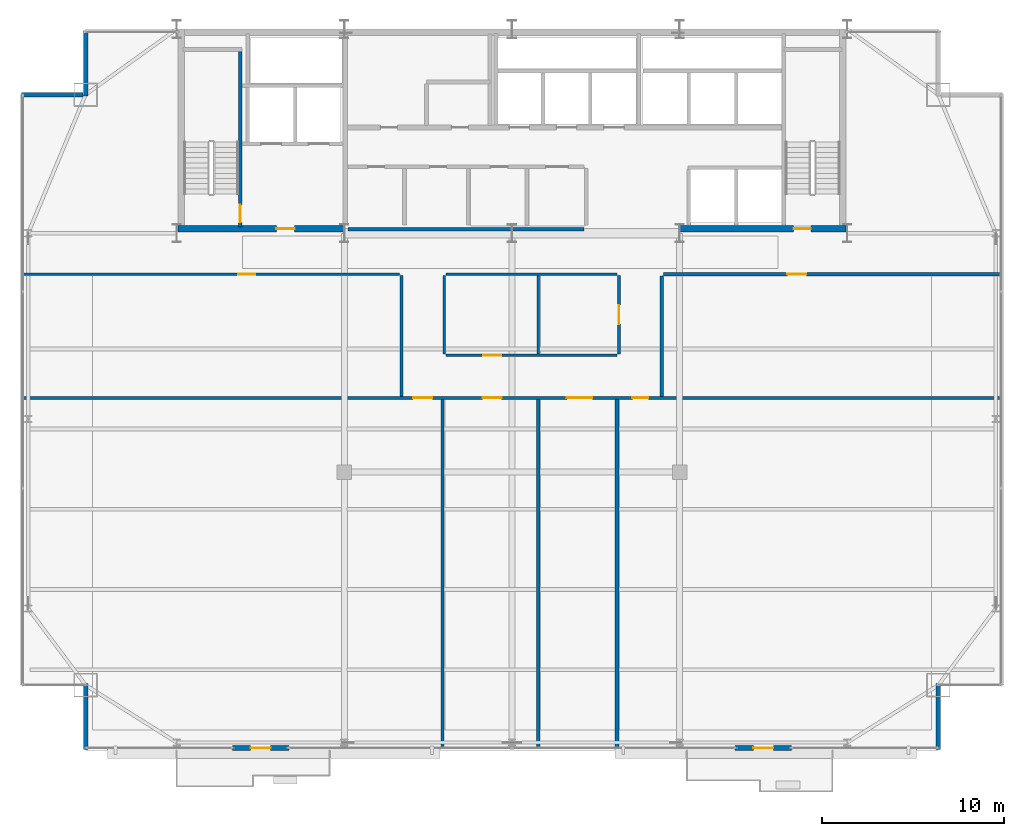
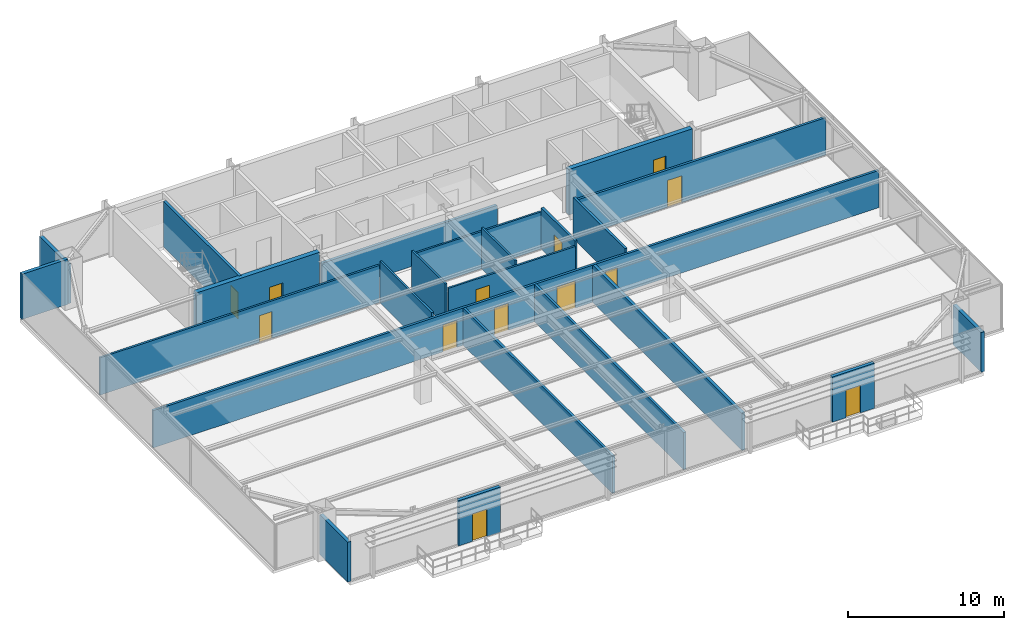
# One storey, part 27 of 31: 23 walls, 13 doors, 13 openings.
"""IFC4 building model written with IfcOpenShell, lengths in metres."""

from ifc_helpers import new_model, si_unit, direction, frame, frame_2d, origin, place, context, subcontext, project, spatial, rectangle, extrude, source, transform, mapped, material, layer, layer_set, type_object, type_shapes, element, fill, save


model = new_model("IFC4")

# Units and contexts
model_context = context("Model", 3, precision=1e-05, world=origin(), true_north=direction((0.0, 1.0)))
body_context = subcontext(model_context, "Body", "Model", "MODEL_VIEW")
ifc_project = project(units=[si_unit("LENGTHUNIT", "METRE"), si_unit("AREAUNIT", "SQUARE_METRE"), si_unit("VOLUMEUNIT", "CUBIC_METRE"), si_unit("PLANEANGLEUNIT", "RADIAN"), si_unit("MASSUNIT", "GRAM", prefix="KILO")], contexts=[model_context])

# Site, building, storey
site_placement = place(None, origin())
site = spatial("IfcSite", under=ifc_project, at=site_placement, CompositionType="ELEMENT")
building_placement = place(site_placement, origin())
building = spatial("IfcBuilding", under=site, at=building_placement, Name="Varnel Quay Broadcast Tower", CompositionType="ELEMENT")
storey_placement = place(building_placement, frame((0.0, 0.0, 157.199951171875)))
storey = spatial("IfcBuildingStorey", under=building, at=storey_placement, Name="L38", CompositionType="ELEMENT", Elevation=157.199951171875)

# Wall, opening, door
ifc_material_1 = material(Name="Concrete CSA A23.3 C50/60", Category="concrete")
ifc_layer_1 = layer(ifc_material_1, 0.199951171875, Name="Concrete CSA A23.3 C50/60")
ifc_layer_set_1 = layer_set([ifc_layer_1], Name="Concrete CSA A23.3 C50/60")
wall_type_1 = type_object("IfcWallType", Name="Wall_CoreShaftShear200", PredefinedType="SHEAR", material=ifc_layer_set_1)
wall_1_placement = place(storey_placement, frame((19.080078125, 35.949951171875, 0.0), z_axis=(0.0, 0.0, 1.0), x_axis=(0.0, 1.0, 0.0)))
wall_1 = element("IfcWall", 1, at=wall_1_placement, inside=storey, type_object=wall_type_1, Name="L38 Stair 1 East Structural Wall", PredefinedType="SHEAR", context=body_context, shape_type="SweptSolid", body=[
    extrude(rectangle(XDim=9.650146484375, YDim=0.199951171875, at=frame_2d((4.8251953125, 0.0))), origin(), (0.0, 0.0, 1.0), 3.550048828125),
])
opening_1_placement = place(wall_1_placement, frame((0.25, 0.0, 0.0)))
opening_1 = element("IfcOpeningElement", 2, at=opening_1_placement, cuts=wall_1, Name="Opening D-L38-S1", PredefinedType="OPENING", context=body_context, shape_type="SweptSolid", body=[
    extrude(rectangle(XDim=0.949951171875, YDim=2.10009765625, at=frame_2d((0.47509765625, 1.050048828125))), frame((0.0, 0.10986328125, 0.0), z_axis=(0.0, -1.0, 0.0), x_axis=(1.0, 0.0, 0.0)), (0.0, 0.0, 1.0), 0.219970703125),
])
ifc_material_2 = material(Name="Insulated Fire-Rated Hollow Steel Door", Category="steel")
door_type_1 = type_object("IfcDoorType", Name="Door_FireStair950", OperationType="NOTDEFINED", PredefinedType="DOOR", material=ifc_material_2)
shared_shape_1 = source(origin(), body_context, "Body", "SweptSolid", [
    extrude(rectangle(XDim=0.949951171875, YDim=2.10009765625, at=frame_2d((0.47509765625, 1.050048828125))), frame((0.0, 0.02490234375, 0.0), z_axis=(0.0, -1.0, 0.0), x_axis=(1.0, 0.0, 0.0)), (0.0, 0.0, 1.0), 0.050048828125),
])
type_shapes(door_type_1, [shared_shape_1])
door_1_placement = place(opening_1_placement, origin())
door_1 = element("IfcDoor", 3, at=door_1_placement, inside=storey, type_object=door_type_1, Name="L38 Stair 1 Fire Door", OperationType="SINGLE_SWING_RIGHT", OverallHeight=2.10009765625, OverallWidth=0.949951171875, PredefinedType="DOOR", context=body_context, shape_type="MappedRepresentation", body=[
    mapped(shared_shape_1, transform((0.0, 0.0, 0.0), x_axis=(1.0, 0.0, 0.0), y_axis=(0.0, 1.0, 0.0), z_axis=(0.0, 0.0, 1.0), scale=1.0)),
])
fill(opening_1, door_1)

ifc_layer_2 = layer(ifc_material_1, 0.35009765625, Name="Concrete CSA A23.3 C50/60")
ifc_layer_set_2 = layer_set([ifc_layer_2], Name="Concrete CSA A23.3 C50/60")
wall_type_2 = type_object("IfcWallType", Name="Wall_CoreShearInt350", PredefinedType="SHEAR", material=ifc_layer_set_2)
wall_2_placement = place(storey_placement, frame((15.669921875, 35.844970703125, 0.0), z_axis=(0.0, 0.0, 1.0), x_axis=(1.0, 0.0, 0.0)))
wall_2 = element("IfcWall", 4, at=wall_2_placement, inside=storey, type_object=wall_type_2, Name="L38 South-West Core Shear Wall", PredefinedType="SHEAR", context=body_context, shape_type="SweptSolid", body=[
    extrude(rectangle(XDim=9.130126953125, YDim=0.35009765625, at=frame_2d((4.56494140625, 0.0))), origin(), (0.0, 0.0, 1.0), 3.550048828125),
])
opening_2_placement = place(wall_2_placement, frame((5.39990234375, 0.0, 0.0)))
opening_2 = element("IfcOpeningElement", 5, at=opening_2_placement, cuts=wall_2, Name="Opening D-L38-FFL", PredefinedType="OPENING", context=body_context, shape_type="SweptSolid", body=[
    extrude(rectangle(XDim=1.0, YDim=2.10009765625, at=frame_2d((0.5, 1.050048828125))), frame((0.0, 0.18505859375, 0.0), z_axis=(0.0, -1.0, 0.0), x_axis=(1.0, 0.0, 0.0)), (0.0, 0.0, 1.0), 0.3701171875),
])
door_type_2 = type_object("IfcDoorType", Name="Door_FireLobby1000", OperationType="NOTDEFINED", PredefinedType="DOOR", material=ifc_material_2)
shared_shape_2 = source(origin(), body_context, "Body", "SweptSolid", [
    extrude(rectangle(XDim=1.0, YDim=2.10009765625, at=frame_2d((0.5, 1.050048828125))), frame((0.0, 0.02490234375, 0.0), z_axis=(0.0, -1.0, 0.0), x_axis=(1.0, 0.0, 0.0)), (0.0, 0.0, 1.0), 0.050048828125),
])
type_shapes(door_type_2, [shared_shape_2])
door_2_placement = place(opening_2_placement, origin())
door_2 = element("IfcDoor", 6, at=door_2_placement, inside=storey, type_object=door_type_2, Name="L38 Firefighting Lobby Door", OperationType="SINGLE_SWING_LEFT", OverallHeight=2.10009765625, OverallWidth=1.0, PredefinedType="DOOR", context=body_context, shape_type="MappedRepresentation", body=[
    mapped(shared_shape_2, transform((0.0, 0.0, 0.0), x_axis=(1.0, 0.0, 0.0), y_axis=(0.0, 1.0, 0.0), z_axis=(0.0, 0.0, 1.0), scale=1.0)),
])
fill(opening_2, door_2)

wall_3_placement = place(storey_placement, frame((43.199951171875, 35.844970703125, 0.0), z_axis=(0.0, 0.0, 1.0), x_axis=(1.0, 0.0, 0.0)))
wall_3 = element("IfcWall", 7, at=wall_3_placement, inside=storey, type_object=wall_type_2, Name="L38 South-East Core Shear Wall", PredefinedType="SHEAR", context=body_context, shape_type="SweptSolid", body=[
    extrude(rectangle(XDim=9.130126953125, YDim=0.35009765625, at=frame_2d((4.56494140625, 0.0))), origin(), (0.0, 0.0, 1.0), 3.550048828125),
])
opening_3_placement = place(wall_3_placement, frame((6.25, 0.0, 0.0)))
opening_3 = element("IfcOpeningElement", 8, at=opening_3_placement, cuts=wall_3, Name="Opening D-L38-S2", PredefinedType="OPENING", context=body_context, shape_type="SweptSolid", body=[
    extrude(rectangle(XDim=0.949951171875, YDim=2.10009765625, at=frame_2d((0.47509765625, 1.050048828125))), frame((0.0, 0.18505859375, 0.0), z_axis=(0.0, -1.0, 0.0), x_axis=(1.0, 0.0, 0.0)), (0.0, 0.0, 1.0), 0.3701171875),
])
door_3_placement = place(opening_3_placement, origin())
door_3 = element("IfcDoor", 9, at=door_3_placement, inside=storey, type_object=door_type_1, Name="L38 Stair 2 Fire Door", OperationType="SINGLE_SWING_RIGHT", OverallHeight=2.10009765625, OverallWidth=0.949951171875, PredefinedType="DOOR", context=body_context, shape_type="MappedRepresentation", body=[
    mapped(shared_shape_1, transform((0.0, 0.0, 0.0), x_axis=(1.0, 0.0, 0.0), y_axis=(0.0, 1.0, 0.0), z_axis=(0.0, 0.0, 1.0), scale=1.0)),
])
fill(opening_3, door_3)

ifc_material_3 = material(Name="Precast Architectural Concrete C40/50", Category="concrete")
ifc_layer_3 = layer(ifc_material_3, 0.25, Name="Precast Architectural Concrete C40/50")
ifc_layer_set_3 = layer_set([ifc_layer_3], Name="Precast Architectural Concrete C40/50")
wall_type_3 = type_object("IfcWallType", Name="Wall_ExtTerrace250", PredefinedType="SOLIDWALL", material=ifc_layer_set_3)
wall_4_placement = place(storey_placement, frame((18.64990234375, 7.35009765625, 0.0), z_axis=(0.0, 0.0, 1.0), x_axis=(1.0, 0.0, 0.0)))
wall_4 = element("IfcWall", 10, at=wall_4_placement, inside=storey, type_object=wall_type_3, Name="L38 Terrace Access Wall 1", PredefinedType="SOLIDWALL", context=body_context, shape_type="SweptSolid", body=[
    extrude(rectangle(XDim=3.10009765625, YDim=0.25, at=frame_2d((1.550048828125, 0.0))), origin(), (0.0, 0.0, 1.0), 3.530029296875),
])
opening_4_placement = place(wall_4_placement, frame((1.0, 0.0, 0.0)))
opening_4 = element("IfcOpeningElement", 11, at=opening_4_placement, cuts=wall_4, Name="Opening TD-381", PredefinedType="OPENING", context=body_context, shape_type="SweptSolid", body=[
    extrude(rectangle(XDim=1.10009765625, YDim=2.14990234375, at=frame_2d((0.550048828125, 1.074951171875))), frame((0.0, 0.135009765625, 0.0), z_axis=(0.0, -1.0, 0.0), x_axis=(1.0, 0.0, 0.0)), (0.0, 0.0, 1.0), 0.27001953125),
])
ifc_material_4 = material(Name="Anodised Bronze Aluminium 6063-T6", Category="aluminium")
door_type_3 = type_object("IfcDoorType", Name="Door_ExtTerrace1100", OperationType="NOTDEFINED", PredefinedType="DOOR", material=ifc_material_4)
shared_shape_3 = source(origin(), body_context, "Body", "SweptSolid", [
    extrude(rectangle(XDim=1.10009765625, YDim=2.14990234375, at=frame_2d((0.550048828125, 1.074951171875))), frame((0.0, 0.02490234375, 0.0), z_axis=(0.0, -1.0, 0.0), x_axis=(1.0, 0.0, 0.0)), (0.0, 0.0, 1.0), 0.050048828125),
])
type_shapes(door_type_3, [shared_shape_3])
door_4_placement = place(opening_4_placement, frame((1.10009765625, 0.0, 0.0), z_axis=(0.0, 0.0, 1.0), x_axis=(-1.0, 0.0, 0.0)))
door_4 = element("IfcDoor", 12, at=door_4_placement, inside=storey, type_object=door_type_3, Name="L38 Terrace Door TD-381", OperationType="SINGLE_SWING_LEFT", OverallHeight=2.14990234375, OverallWidth=1.10009765625, PredefinedType="DOOR", context=body_context, shape_type="MappedRepresentation", body=[
    mapped(shared_shape_3, transform((0.0, 0.0, 0.0), x_axis=(1.0, 0.0, 0.0), y_axis=(0.0, 1.0, 0.0), z_axis=(0.0, 0.0, 1.0), scale=1.0)),
])
fill(opening_4, door_4)

wall_5_placement = place(storey_placement, frame((46.25, 7.35009765625, 0.0), z_axis=(0.0, 0.0, 1.0), x_axis=(1.0, 0.0, 0.0)))
wall_5 = element("IfcWall", 13, at=wall_5_placement, inside=storey, type_object=wall_type_3, Name="L38 Terrace Access Wall 2", PredefinedType="SOLIDWALL", context=body_context, shape_type="SweptSolid", body=[
    extrude(rectangle(XDim=3.10009765625, YDim=0.25, at=frame_2d((1.550048828125, 0.0))), origin(), (0.0, 0.0, 1.0), 3.530029296875),
])
opening_5_placement = place(wall_5_placement, frame((1.0, 0.0, 0.0)))
opening_5 = element("IfcOpeningElement", 14, at=opening_5_placement, cuts=wall_5, Name="Opening TD-382", PredefinedType="OPENING", context=body_context, shape_type="SweptSolid", body=[
    extrude(rectangle(XDim=1.10009765625, YDim=2.14990234375, at=frame_2d((0.550048828125, 1.074951171875))), frame((0.0, 0.135009765625, 0.0), z_axis=(0.0, -1.0, 0.0), x_axis=(1.0, 0.0, 0.0)), (0.0, 0.0, 1.0), 0.27001953125),
])
door_5_placement = place(opening_5_placement, frame((1.10009765625, 0.0, 0.0), z_axis=(0.0, 0.0, 1.0), x_axis=(-1.0, 0.0, 0.0)))
door_5 = element("IfcDoor", 15, at=door_5_placement, inside=storey, type_object=door_type_3, Name="L38 Terrace Door TD-382", OperationType="SINGLE_SWING_RIGHT", OverallHeight=2.14990234375, OverallWidth=1.10009765625, PredefinedType="DOOR", context=body_context, shape_type="MappedRepresentation", body=[
    mapped(shared_shape_3, transform((0.0, 0.0, 0.0), x_axis=(1.0, 0.0, 0.0), y_axis=(0.0, 1.0, 0.0), z_axis=(0.0, 0.0, 1.0), scale=1.0)),
])
fill(opening_5, door_5)

# Walls
for number, where, z_axis, x_axis, name in (
    (16, (10.60009765625, 7.280029296875, 0.0), (0.0, 0.0, 1.0), (0.0, 1.0, 0.0), "L38 Mega-Column Notch Cladding Wall NSW2"),
    (17, (57.39990234375, 7.280029296875, 0.0), (0.0, 0.0, 1.0), (0.0, 1.0, 0.0), "L38 Mega-Column Notch Cladding Wall NSE2"),
):
    element("IfcWall", number, at=place(storey_placement, frame(where, z_axis=z_axis, x_axis=x_axis)), inside=storey, type_object=wall_type_3, Name=name, PredefinedType="SOLIDWALL", context=body_context, shape_type="SweptSolid", body=[
        extrude(rectangle(XDim=3.599853515625, YDim=0.25, at=frame_2d((1.7998046875, 0.0))), origin(), (0.0, 0.0, 1.0), 3.108154296875),
    ])
wall_6_placement = place(storey_placement, frame((7.080078125, 43.199951171875, 0.0), z_axis=(0.0, 0.0, 1.0), x_axis=(1.0, 0.0, 0.0)))
element("IfcWall", 18, at=wall_6_placement, inside=storey, type_object=wall_type_3, Name="L38 Mega-Column Notch Cladding Wall NNW1", PredefinedType="SOLIDWALL", context=body_context, shape_type="SweptSolid", body=[
    extrude(rectangle(XDim=3.389892578125, YDim=0.25, at=frame_2d((1.69482421875, 0.0))), origin(), (0.0, 0.0, 1.0), 3.530029296875),
])
wall_7_placement = place(storey_placement, frame((10.60009765625, 43.1201171875, 0.0), z_axis=(0.0, 0.0, 1.0), x_axis=(0.0, 1.0, 0.0)))
element("IfcWall", 19, at=wall_7_placement, inside=storey, type_object=wall_type_3, Name="L38 Mega-Column Notch Cladding Wall NNW2", PredefinedType="SOLIDWALL", context=body_context, shape_type="SweptSolid", body=[
    extrude(rectangle(XDim=3.599853515625, YDim=0.25, at=frame_2d((1.7998046875, 0.0))), origin(), (0.0, 0.0, 1.0), 3.108154296875),
])
ifc_material_5 = material(Name="Concrete Blockwork Fire Enclosure C40/50", Category="masonry")
ifc_layer_4 = layer(ifc_material_5, 0.199951171875, Name="Concrete Blockwork Fire Enclosure C40/50")
ifc_layer_set_4 = layer_set([ifc_layer_4], Name="Concrete Blockwork Fire Enclosure C40/50")
wall_type_4 = type_object("IfcWallType", Name="Wall_FireShaft200", PredefinedType="SOLIDWALL", material=ifc_layer_set_4)
wall_8_placement = place(storey_placement, frame((25.0, 35.824951171875, 0.0), z_axis=(0.0, 0.0, 1.0), x_axis=(1.0, 0.0, 0.0)))
element("IfcWall", 20, at=wall_8_placement, inside=storey, type_object=wall_type_4, Name="L38 Accessible Universal Washroom Partition 1", PredefinedType="SOLIDWALL", context=body_context, shape_type="SweptSolid", body=[
    extrude(rectangle(XDim=12.949951171875, YDim=0.199951171875, at=frame_2d((6.47509765625, 0.0))), origin(), (0.0, 0.0, 1.0), 2.574951171875),
])

# Wall, opening, door
ifc_material_6 = material(Name="Steel-Stud Fire-Rated Acoustic Gypsum Partition Assembly", Category="steel")
ifc_layer_5 = layer(ifc_material_6, 0.139892578125, Name="Steel-Stud Fire-Rated Acoustic Gypsum Partition Assembly")
ifc_layer_set_5 = layer_set([ifc_layer_5], Name="Steel-Stud Fire-Rated Acoustic Gypsum Partition Assembly")
wall_type_5 = type_object("IfcWallType", Name="Wall_Partition140", PredefinedType="PARTITIONING", material=ifc_layer_set_5)
wall_9_placement = place(storey_placement, frame((30.3798828125, 28.909912109375, 0.0), z_axis=(0.0, 0.0, 1.0), x_axis=(1.0, 0.0, 0.0)))
wall_9 = element("IfcWall", 21, at=wall_9_placement, inside=storey, type_object=wall_type_5, Name="L38 Reading Lounge 6 Partition 13", PredefinedType="PARTITIONING", context=body_context, shape_type="SweptSolid", body=[
    extrude(rectangle(XDim=9.39013671875, YDim=0.139892578125, at=frame_2d((4.695068359375, 0.0))), origin(), (0.0, 0.0, 1.0), 2.908935546875),
])
opening_6_placement = place(wall_9_placement, frame((2.030029296875, 0.0, 0.0)))
opening_6 = element("IfcOpeningElement", 22, at=opening_6_placement, cuts=wall_9, Name="Opening D-L38-10", PredefinedType="OPENING", context=body_context, shape_type="SweptSolid", body=[
    extrude(rectangle(XDim=1.0, YDim=2.10009765625, at=frame_2d((0.5, 1.050048828125))), frame((0.0, 0.080078125, 0.0), z_axis=(0.0, -1.0, 0.0), x_axis=(1.0, 0.0, 0.0)), (0.0, 0.0, 1.0), 0.159912109375),
])
ifc_material_7 = material(Name="Solid-Core Fire-Rated Acoustic Oak Veneer Door", Category="wood")
door_type_4 = type_object("IfcDoorType", Name="Door_Exec1000", OperationType="NOTDEFINED", PredefinedType="DOOR", material=ifc_material_7)
shared_shape_4 = source(origin(), body_context, "Body", "SweptSolid", [
    extrude(rectangle(XDim=1.0, YDim=2.10009765625, at=frame_2d((0.5, 1.050048828125))), frame((0.0, 0.02490234375, 0.0), z_axis=(0.0, -1.0, 0.0), x_axis=(1.0, 0.0, 0.0)), (0.0, 0.0, 1.0), 0.050048828125),
])
type_shapes(door_type_4, [shared_shape_4])
door_6_placement = place(opening_6_placement, origin())
door_6 = element("IfcDoor", 23, at=door_6_placement, inside=storey, type_object=door_type_4, Name="L38 Reading Lounge 6 Door D-L38-10", OperationType="SINGLE_SWING_LEFT", OverallHeight=2.10009765625, OverallWidth=1.0, PredefinedType="DOOR", context=body_context, shape_type="MappedRepresentation", body=[
    mapped(shared_shape_4, transform((0.0, 0.0, 0.0), x_axis=(1.0, 0.0, 0.0), y_axis=(0.0, 1.0, 0.0), z_axis=(0.0, 0.0, 1.0), scale=1.0)),
])
fill(opening_6, door_6)

# Walls
wall_10_placement = place(storey_placement, frame((35.43994140625, 28.97998046875, 0.0), z_axis=(0.0, 0.0, 1.0), x_axis=(0.0, 1.0, 0.0)))
element("IfcWall", 24, at=wall_10_placement, inside=storey, type_object=wall_type_5, Name="L38 Reading Lounge 6 Partition 14", PredefinedType="PARTITIONING", context=body_context, shape_type="SweptSolid", body=[
    extrude(rectangle(XDim=4.300048828125, YDim=0.139892578125, at=frame_2d((2.14990234375, 0.0))), origin(), (0.0, 0.0, 1.0), 3.22216796875),
])
wall_11_placement = place(storey_placement, frame((30.3798828125, 33.35009765625, 0.0), z_axis=(0.0, 0.0, 1.0), x_axis=(1.0, 0.0, 0.0)))
element("IfcWall", 25, at=wall_11_placement, inside=storey, type_object=wall_type_5, Name="L38 Reading Lounge 6 Partition 15", PredefinedType="PARTITIONING", context=body_context, shape_type="SweptSolid", body=[
    extrude(rectangle(XDim=9.39013671875, YDim=0.139892578125, at=frame_2d((4.695068359375, 0.0))), origin(), (0.0, 0.0, 1.0), 2.908935546875),
])
wall_12_placement = place(storey_placement, frame((30.280029296875, 28.97998046875, 0.0), z_axis=(0.0, 0.0, 1.0), x_axis=(0.0, 1.0, 0.0)))
element("IfcWall", 26, at=wall_12_placement, inside=storey, type_object=wall_type_5, Name="L38 Reading Lounge 6 Partition 16", PredefinedType="PARTITIONING", context=body_context, shape_type="SweptSolid", body=[
    extrude(rectangle(XDim=4.300048828125, YDim=0.139892578125, at=frame_2d((2.14990234375, 0.0))), origin(), (0.0, 0.0, 1.0), 3.22216796875),
])
ifc_layer_6 = layer(ifc_material_6, 0.14990234375, Name="Steel-Stud Fire-Rated Acoustic Gypsum Partition Assembly")
ifc_layer_set_6 = layer_set([ifc_layer_6], Name="Steel-Stud Fire-Rated Acoustic Gypsum Partition Assembly")
wall_type_6 = type_object("IfcWallType", Name="Wall_Partition150", PredefinedType="PARTITIONING", material=ifc_layer_set_6)
wall_13_placement = place(storey_placement, frame((27.929931640625, 26.64697265625, 0.0), z_axis=(0.0, 0.0, 1.0), x_axis=(0.0, 1.0, 0.0)))
element("IfcWall", 27, at=wall_13_placement, inside=storey, type_object=wall_type_6, Name="L38 Bureau Office 5 Partition 11", PredefinedType="PARTITIONING", context=body_context, shape_type="SweptSolid", body=[
    extrude(rectangle(XDim=6.6279296875, YDim=0.14990234375, at=frame_2d((3.31396484375, 0.0))), origin(), (0.0, 0.0, 1.0), 3.22216796875),
])

# Wall, opening, door
wall_14_placement = place(storey_placement, frame((7.179931640625, 33.35009765625, 0.0), z_axis=(0.0, 0.0, 1.0), x_axis=(1.0, 0.0, 0.0)))
wall_14 = element("IfcWall", 28, at=wall_14_placement, inside=storey, type_object=wall_type_6, Name="L38 Bureau Office 5 Partition 12", PredefinedType="PARTITIONING", context=body_context, shape_type="SweptSolid", body=[
    extrude(rectangle(XDim=20.650146484375, YDim=0.14990234375, at=frame_2d((10.3251953125, 0.0))), origin(), (0.0, 0.0, 1.0), 2.908935546875),
])
opening_7_placement = place(wall_14_placement, frame((11.800048828125, 0.0, 0.0)))
opening_7 = element("IfcOpeningElement", 29, at=opening_7_placement, cuts=wall_14, Name="Opening D-L38-09", PredefinedType="OPENING", context=body_context, shape_type="SweptSolid", body=[
    extrude(rectangle(XDim=0.919921875, YDim=2.080078125, at=frame_2d((0.4599609375, 1.0400390625))), frame((0.0, 0.0849609375, 0.0), z_axis=(0.0, -1.0, 0.0), x_axis=(1.0, 0.0, 0.0)), (0.0, 0.0, 1.0), 0.169921875),
])
door_type_5 = type_object("IfcDoorType", Name="Door_Office920", OperationType="NOTDEFINED", PredefinedType="DOOR", material=ifc_material_7)
shared_shape_5 = source(origin(), body_context, "Body", "SweptSolid", [
    extrude(rectangle(XDim=0.919921875, YDim=2.080078125, at=frame_2d((0.4599609375, 1.0400390625))), frame((0.0, 0.02490234375, 0.0), z_axis=(0.0, -1.0, 0.0), x_axis=(1.0, 0.0, 0.0)), (0.0, 0.0, 1.0), 0.050048828125),
])
type_shapes(door_type_5, [shared_shape_5])
door_7_placement = place(opening_7_placement, frame((0.919921875, 0.0, 0.0), z_axis=(0.0, 0.0, 1.0), x_axis=(-1.0, 0.0, 0.0)))
door_7 = element("IfcDoor", 30, at=door_7_placement, inside=storey, type_object=door_type_5, Name="L38 Bureau Office 5 Door D-L38-09", OperationType="SINGLE_SWING_RIGHT", OverallHeight=2.080078125, OverallWidth=0.919921875, PredefinedType="DOOR", context=body_context, shape_type="MappedRepresentation", body=[
    mapped(shared_shape_5, transform((0.0, 0.0, 0.0), x_axis=(1.0, 0.0, 0.0), y_axis=(0.0, 1.0, 0.0), z_axis=(0.0, 0.0, 1.0), scale=1.0)),
])
fill(opening_7, door_7)

# Wall
ifc_layer_7 = layer(ifc_material_6, 0.175048828125, Name="Steel-Stud Fire-Rated Acoustic Gypsum Partition Assembly")
ifc_layer_set_7 = layer_set([ifc_layer_7], Name="Steel-Stud Fire-Rated Acoustic Gypsum Partition Assembly")
wall_type_7 = type_object("IfcWallType", Name="Wall_Partition175", PredefinedType="PARTITIONING", material=ifc_layer_set_7)
wall_15_placement = place(storey_placement, frame((30.179931640625, 7.3798828125, 0.0), z_axis=(0.0, 0.0, 1.0), x_axis=(0.0, 1.0, 0.0)))
element("IfcWall", 31, at=wall_15_placement, inside=storey, type_object=wall_type_7, Name="L38 Press Briefing Room 1 Partition 7", PredefinedType="PARTITIONING", context=body_context, shape_type="SweptSolid", body=[
    extrude(rectangle(XDim=19.093017578125, YDim=0.175048828125, at=frame_2d((9.54638671875, 0.0))), origin(), (0.0, 0.0, 1.0), 2.908935546875),
])

# Wall, openings, doors
wall_16_placement = place(storey_placement, frame((7.179931640625, 26.56005859375, 0.0), z_axis=(0.0, 0.0, 1.0), x_axis=(1.0, 0.0, 0.0)))
wall_16 = element("IfcWall", 32, at=wall_16_placement, inside=storey, type_object=wall_type_7, Name="L38 Press Briefing Room 1 Partition 8", PredefinedType="PARTITIONING", context=body_context, shape_type="SweptSolid", body=[
    extrude(rectangle(XDim=53.64013671875, YDim=0.175048828125, at=frame_2d((26.820068359375, 0.0))), origin(), (0.0, 0.0, 1.0), 2.908935546875),
])
opening_8_placement = place(wall_16_placement, frame((21.39990234375, 0.0, 0.0)))
opening_8 = element("IfcOpeningElement", 33, at=opening_8_placement, cuts=wall_16, Name="Opening D-L38-05", PredefinedType="OPENING", context=body_context, shape_type="SweptSolid", body=[
    extrude(rectangle(XDim=1.050048828125, YDim=2.10009765625, at=frame_2d((0.52490234375, 1.050048828125))), frame((0.0, 0.09765625, 0.0), z_axis=(0.0, -1.0, 0.0), x_axis=(1.0, 0.0, 0.0)), (0.0, 0.0, 1.0), 0.195068359375),
])
opening_9_placement = place(wall_16_placement, frame((25.205078125, 0.0, 0.0)))
opening_9 = element("IfcOpeningElement", 34, at=opening_9_placement, cuts=wall_16, Name="Opening D-L38-06", PredefinedType="OPENING", context=body_context, shape_type="SweptSolid", body=[
    extrude(rectangle(XDim=1.050048828125, YDim=2.10009765625, at=frame_2d((0.52490234375, 1.050048828125))), frame((0.0, 0.09765625, 0.0), z_axis=(0.0, -1.0, 0.0), x_axis=(1.0, 0.0, 0.0)), (0.0, 0.0, 1.0), 0.195068359375),
])
opening_10_placement = place(wall_16_placement, frame((29.824951171875, 0.0, 0.0)))
opening_10 = element("IfcOpeningElement", 35, at=opening_10_placement, cuts=wall_16, Name="Opening D-L38-07", PredefinedType="OPENING", context=body_context, shape_type="SweptSolid", body=[
    extrude(rectangle(XDim=1.39990234375, YDim=2.1201171875, at=frame_2d((0.699951171875, 1.06005859375))), frame((0.0, 0.09765625, 0.0), z_axis=(0.0, -1.0, 0.0), x_axis=(1.0, 0.0, 0.0)), (0.0, 0.0, 1.0), 0.195068359375),
])
opening_11_placement = place(wall_16_placement, frame((33.425048828125, 0.0, 0.0)))
opening_11 = element("IfcOpeningElement", 36, at=opening_11_placement, cuts=wall_16, Name="Opening D-L38-08", PredefinedType="OPENING", context=body_context, shape_type="SweptSolid", body=[
    extrude(rectangle(XDim=0.8798828125, YDim=2.06005859375, at=frame_2d((0.43994140625, 1.030029296875))), frame((0.0, 0.09765625, 0.0), z_axis=(0.0, -1.0, 0.0), x_axis=(1.0, 0.0, 0.0)), (0.0, 0.0, 1.0), 0.195068359375),
])
door_type_6 = type_object("IfcDoorType", Name="Door_Booth880", OperationType="NOTDEFINED", PredefinedType="DOOR", material=ifc_material_7)
shared_shape_6 = source(origin(), body_context, "Body", "SweptSolid", [
    extrude(rectangle(XDim=0.8798828125, YDim=2.06005859375, at=frame_2d((0.43994140625, 1.030029296875))), frame((0.0, 0.02490234375, 0.0), z_axis=(0.0, -1.0, 0.0), x_axis=(1.0, 0.0, 0.0)), (0.0, 0.0, 1.0), 0.050048828125),
])
type_shapes(door_type_6, [shared_shape_6])
door_8_placement = place(opening_11_placement, frame((0.8798828125, 0.0, 0.0), z_axis=(0.0, 0.0, 1.0), x_axis=(-1.0, 0.0, 0.0)))
door_8 = element("IfcDoor", 37, at=door_8_placement, inside=storey, type_object=door_type_6, Name="L38 Catering Kitchen 4 Door D-L38-08", OperationType="SINGLE_SWING_LEFT", OverallHeight=2.06005859375, OverallWidth=0.8798828125, PredefinedType="DOOR", context=body_context, shape_type="MappedRepresentation", body=[
    mapped(shared_shape_6, transform((0.0, 0.0, 0.0), x_axis=(1.0, 0.0, 0.0), y_axis=(0.0, 1.0, 0.0), z_axis=(0.0, 0.0, 1.0), scale=1.0)),
])
fill(opening_11, door_8)
door_type_7 = type_object("IfcDoorType", Name="Door_Meeting1050", OperationType="NOTDEFINED", PredefinedType="DOOR", material=ifc_material_7)
shared_shape_7 = source(origin(), body_context, "Body", "SweptSolid", [
    extrude(rectangle(XDim=1.050048828125, YDim=2.10009765625, at=frame_2d((0.52490234375, 1.050048828125))), frame((0.0, 0.02490234375, 0.0), z_axis=(0.0, -1.0, 0.0), x_axis=(1.0, 0.0, 0.0)), (0.0, 0.0, 1.0), 0.050048828125),
])
type_shapes(door_type_7, [shared_shape_7])
door_9_placement = place(opening_8_placement, frame((1.050048828125, 0.0, 0.0), z_axis=(0.0, 0.0, 1.0), x_axis=(-1.0, 0.0, 0.0)))
door_9 = element("IfcDoor", 38, at=door_9_placement, inside=storey, type_object=door_type_7, Name="L38 Press Briefing Room 1 Door D-L38-05", OperationType="SINGLE_SWING_LEFT", OverallHeight=2.10009765625, OverallWidth=1.050048828125, PredefinedType="DOOR", context=body_context, shape_type="MappedRepresentation", body=[
    mapped(shared_shape_7, transform((0.0, 0.0, 0.0), x_axis=(1.0, 0.0, 0.0), y_axis=(0.0, 1.0, 0.0), z_axis=(0.0, 0.0, 1.0), scale=1.0)),
])
fill(opening_8, door_9)
door_10_placement = place(opening_9_placement, frame((1.050048828125, 0.0, 0.0), z_axis=(0.0, 0.0, 1.0), x_axis=(-1.0, 0.0, 0.0)))
door_10 = element("IfcDoor", 39, at=door_10_placement, inside=storey, type_object=door_type_7, Name="L38 Editorial Huddle Room 2 Door D-L38-06", OperationType="SINGLE_SWING_RIGHT", OverallHeight=2.10009765625, OverallWidth=1.050048828125, PredefinedType="DOOR", context=body_context, shape_type="MappedRepresentation", body=[
    mapped(shared_shape_7, transform((0.0, 0.0, 0.0), x_axis=(1.0, 0.0, 0.0), y_axis=(0.0, 1.0, 0.0), z_axis=(0.0, 0.0, 1.0), scale=1.0)),
])
fill(opening_9, door_10)
door_type_8 = type_object("IfcDoorType", Name="Door_Gallery1400", OperationType="DOUBLE_DOOR_SINGLE_SWING", PredefinedType="DOOR", material=ifc_material_7)
shared_shape_8 = source(origin(), body_context, "Body", "SweptSolid", [
    extrude(rectangle(XDim=1.39990234375, YDim=2.1201171875, at=frame_2d((0.699951171875, 1.06005859375))), frame((0.0, 0.02490234375, 0.0), z_axis=(0.0, -1.0, 0.0), x_axis=(1.0, 0.0, 0.0)), (0.0, 0.0, 1.0), 0.050048828125),
])
type_shapes(door_type_8, [shared_shape_8])
door_11_placement = place(opening_10_placement, frame((1.39990234375, 0.0, 0.0), z_axis=(0.0, 0.0, 1.0), x_axis=(-1.0, 0.0, 0.0)))
door_11 = element("IfcDoor", 40, at=door_11_placement, inside=storey, type_object=door_type_8, Name="L38 Journalism Training Studio 3 Door D-L38-07", OperationType="DOUBLE_DOOR_SINGLE_SWING", OverallHeight=2.1201171875, OverallWidth=1.39990234375, PredefinedType="DOOR", context=body_context, shape_type="MappedRepresentation", body=[
    mapped(shared_shape_8, transform((0.0, 0.0, 0.0), x_axis=(1.0, 0.0, 0.0), y_axis=(0.0, 1.0, 0.0), z_axis=(0.0, 0.0, 1.0), scale=1.0)),
])
fill(opening_10, door_11)

# Wall
wall_17_placement = place(storey_placement, frame((35.43994140625, 7.3798828125, 0.0), z_axis=(0.0, 0.0, 1.0), x_axis=(0.0, 1.0, 0.0)))
element("IfcWall", 41, at=wall_17_placement, inside=storey, type_object=wall_type_7, Name="L38 Editorial Huddle Room 2 Partition 9", PredefinedType="PARTITIONING", context=body_context, shape_type="SweptSolid", body=[
    extrude(rectangle(XDim=19.093017578125, YDim=0.175048828125, at=frame_2d((9.54638671875, 0.0))), origin(), (0.0, 0.0, 1.0), 2.908935546875),
])

# Wall, opening, door
wall_18_placement = place(storey_placement, frame((39.8701171875, 28.97998046875, 0.0), z_axis=(0.0, 0.0, 1.0), x_axis=(0.0, 1.0, 0.0)))
wall_18 = element("IfcWall", 42, at=wall_18_placement, inside=storey, type_object=wall_type_7, Name="L38 Broadcast Seminar Room 7 Partition 17", PredefinedType="PARTITIONING", context=body_context, shape_type="SweptSolid", body=[
    extrude(rectangle(XDim=4.300048828125, YDim=0.175048828125, at=frame_2d((2.14990234375, 0.0))), origin(), (0.0, 0.0, 1.0), 3.22216796875),
])
opening_12_placement = place(wall_18_placement, frame((1.625, 0.0, 0.0)))
opening_12 = element("IfcOpeningElement", 43, at=opening_12_placement, cuts=wall_18, Name="Opening D-L38-11", PredefinedType="OPENING", context=body_context, shape_type="SweptSolid", body=[
    extrude(rectangle(XDim=1.050048828125, YDim=2.10009765625, at=frame_2d((0.52490234375, 1.050048828125))), frame((0.0, 0.09765625, 0.0), z_axis=(0.0, -1.0, 0.0), x_axis=(1.0, 0.0, 0.0)), (0.0, 0.0, 1.0), 0.195068359375),
])
door_12_placement = place(opening_12_placement, origin())
door_12 = element("IfcDoor", 44, at=door_12_placement, inside=storey, type_object=door_type_7, Name="L38 Broadcast Seminar Room 7 Door D-L38-11", OperationType="SINGLE_SWING_RIGHT", OverallHeight=2.10009765625, OverallWidth=1.050048828125, PredefinedType="DOOR", context=body_context, shape_type="MappedRepresentation", body=[
    mapped(shared_shape_7, transform((0.0, 0.0, 0.0), x_axis=(1.0, 0.0, 0.0), y_axis=(0.0, 1.0, 0.0), z_axis=(0.0, 0.0, 1.0), scale=1.0)),
])
fill(opening_12, door_12)

wall_19_placement = place(storey_placement, frame((42.320068359375, 33.35009765625, 0.0), z_axis=(0.0, 0.0, 1.0), x_axis=(1.0, 0.0, 0.0)))
wall_19 = element("IfcWall", 45, at=wall_19_placement, inside=storey, type_object=wall_type_7, Name="L38 Press Briefing Room 8 Partition 18", PredefinedType="PARTITIONING", context=body_context, shape_type="SweptSolid", body=[
    extrude(rectangle(XDim=18.5, YDim=0.175048828125, at=frame_2d((9.25, 0.0))), origin(), (0.0, 0.0, 1.0), 2.908935546875),
])
opening_13_placement = place(wall_19_placement, frame((6.7900390625, 0.0, 0.0)))
opening_13 = element("IfcOpeningElement", 46, at=opening_13_placement, cuts=wall_19, Name="Opening D-L38-12", PredefinedType="OPENING", context=body_context, shape_type="SweptSolid", body=[
    extrude(rectangle(XDim=1.050048828125, YDim=2.10009765625, at=frame_2d((0.52490234375, 1.050048828125))), frame((0.0, 0.09765625, 0.0), z_axis=(0.0, -1.0, 0.0), x_axis=(1.0, 0.0, 0.0)), (0.0, 0.0, 1.0), 0.195068359375),
])
door_13_placement = place(opening_13_placement, frame((1.050048828125, 0.0, 0.0), z_axis=(0.0, 0.0, 1.0), x_axis=(-1.0, 0.0, 0.0)))
door_13 = element("IfcDoor", 47, at=door_13_placement, inside=storey, type_object=door_type_7, Name="L38 Press Briefing Room 8 Door D-L38-12", OperationType="SINGLE_SWING_LEFT", OverallHeight=2.10009765625, OverallWidth=1.050048828125, PredefinedType="DOOR", context=body_context, shape_type="MappedRepresentation", body=[
    mapped(shared_shape_7, transform((0.0, 0.0, 0.0), x_axis=(1.0, 0.0, 0.0), y_axis=(0.0, 1.0, 0.0), z_axis=(0.0, 0.0, 1.0), scale=1.0)),
])
fill(opening_13, door_13)

# Walls
wall_20_placement = place(storey_placement, frame((42.219970703125, 26.64697265625, 0.0), z_axis=(0.0, 0.0, 1.0), x_axis=(0.0, 1.0, 0.0)))
element("IfcWall", 48, at=wall_20_placement, inside=storey, type_object=wall_type_7, Name="L38 Press Briefing Room 8 Partition 19", PredefinedType="PARTITIONING", context=body_context, shape_type="SweptSolid", body=[
    extrude(rectangle(XDim=6.615966796875, YDim=0.175048828125, at=frame_2d((3.30810546875, 0.0))), origin(), (0.0, 0.0, 1.0), 3.22216796875),
])
ifc_layer_8 = layer(ifc_material_6, 0.22509765625, Name="Steel-Stud Fire-Rated Acoustic Gypsum Partition Assembly")
ifc_layer_set_8 = layer_set([ifc_layer_8], Name="Steel-Stud Fire-Rated Acoustic Gypsum Partition Assembly")
wall_type_8 = type_object("IfcWallType", Name="Wall_Partition225", PredefinedType="PARTITIONING", material=ifc_layer_set_8)
wall_21_placement = place(storey_placement, frame((39.77001953125, 7.3798828125, 0.0), z_axis=(0.0, 0.0, 1.0), x_axis=(0.0, 1.0, 0.0)))
element("IfcWall", 49, at=wall_21_placement, inside=storey, type_object=wall_type_8, Name="L38 Journalism Training Studio 3 Partition 10", PredefinedType="PARTITIONING", context=body_context, shape_type="SweptSolid", body=[
    extrude(rectangle(XDim=19.093017578125, YDim=0.22509765625, at=frame_2d((9.54638671875, 0.0))), origin(), (0.0, 0.0, 1.0), 2.908935546875),
])

save(model, "model.ifc")
